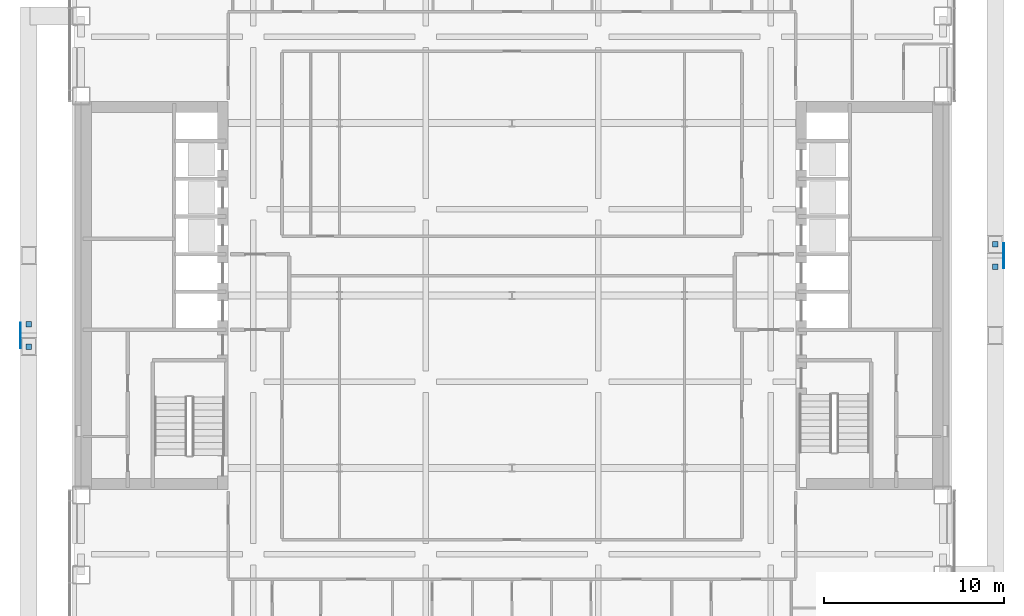
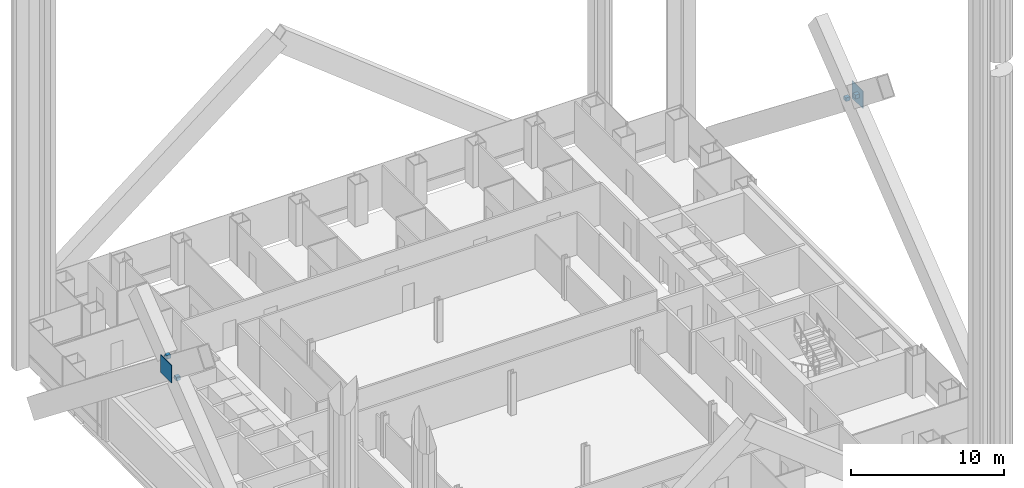
# One storey, part 22 of 28: 6 discrete accessories.
"""IFC4 building model written with IfcOpenShell, lengths in metres."""

import ifcopenshell
import ifcopenshell.guid

model = None  # the IFC model being written
_history = None  # IfcOwnerHistory: only IFC2X3 demands one
_inside = {}  # id of a spatial element -> (the spatial element, [elements in it])
_under = {}  # id of a project, library or spatial element -> (it, [spatial elements below it])
_declared = {}  # id of a project -> (the project, [libraries it declares])
_typed = {}  # id of a type object -> (the type object, [elements of that type])
_made_of = {}  # id of a material, layer set ... -> (it, [elements and type objects made of it])


def new_model(schema):
    """Start an empty IFC model of exactly this schema.

    Asked for "IFC4X3", IfcOpenShell would pick the latest addendum, in which some entities
    have other attributes; the version numbers below select the first issue.
    IFC2X3 requires an IfcOwnerHistory on every rooted entity: one is made here for all.
    """
    global model, _history
    if schema == "IFC4X3":
        model = ifcopenshell.file(schema_version=(4, 3, 0, 0))
    else:
        model = ifcopenshell.file(schema=schema)
    _inside.clear()
    _under.clear()
    _declared.clear()
    _typed.clear()
    _made_of.clear()
    _history = None
    if model.schema == "IFC2X3":
        org = make("IfcOrganization", Name="unknown")
        user = make(
            "IfcPersonAndOrganization",
            ThePerson=make("IfcPerson", FamilyName="unknown"),
            TheOrganization=org,
        )
        app = make(
            "IfcApplication",
            ApplicationDeveloper=org,
            Version="unknown",
            ApplicationFullName="unknown",
            ApplicationIdentifier="unknown",
        )
        _history = make(
            "IfcOwnerHistory",
            OwningUser=user,
            OwningApplication=app,
            ChangeAction="ADDED",
            CreationDate=0,
        )
    return model


def make(cls, **values):
    """One entity of the class cls with the attributes given. An attribute that is None is left unset."""
    return model.create_entity(
        cls, **{name: value for name, value in values.items() if value is not None}
    )


def rooted(cls, **values):
    """An entity with a GlobalId (a new one), such as an element, a storey or a relation."""
    return make(cls, GlobalId=ifcopenshell.guid.new(), OwnerHistory=_history, **values)


def si_unit(unit_type, name, prefix=None):
    """IfcSIUnit, for example si_unit("LENGTHUNIT", "METRE", prefix="MILLI")."""
    return make("IfcSIUnit", UnitType=unit_type, Prefix=prefix, Name=name)


def assignment(units):
    """IfcUnitAssignment: the units of a project."""
    return None if units is None else make("IfcUnitAssignment", Units=units)


def point(xyz):
    """IfcCartesianPoint."""
    return None if xyz is None else make("IfcCartesianPoint", Coordinates=xyz)


def direction(xyz):
    """IfcDirection."""
    return None if xyz is None else make("IfcDirection", DirectionRatios=xyz)


def frame(location, z_axis=None, x_axis=None):
    """IfcAxis2Placement3D, a coordinate frame: its origin and axes. An axis left out is left unset."""
    return make(
        "IfcAxis2Placement3D",
        Location=point(location),
        Axis=direction(z_axis),
        RefDirection=direction(x_axis),
    )


def frame_2d(location, x_axis=None):
    """IfcAxis2Placement2D, a coordinate frame in the plane: its origin and x axis."""
    return make(
        "IfcAxis2Placement2D", Location=point(location), RefDirection=direction(x_axis)
    )


def origin():
    """The frame at (0, 0, 0) with its axes left unset."""
    return frame((0.0, 0.0, 0.0))


def origin_2d():
    """The frame at (0, 0) in the plane with its x axis left unset."""
    return frame_2d((0.0, 0.0))


def place(relative_to, where):
    """IfcLocalPlacement: puts the frame where relative to a parent placement (None: the world)."""
    return make(
        "IfcLocalPlacement", PlacementRelTo=relative_to, RelativePlacement=where
    )


def context(
    kind, dimensions, precision=None, world=None, true_north=None, identifier=None
):
    """IfcGeometricRepresentationContext, for example the 3D "Model" context."""
    return make(
        "IfcGeometricRepresentationContext",
        ContextIdentifier=identifier,
        ContextType=kind,
        CoordinateSpaceDimension=dimensions,
        Precision=precision,
        WorldCoordinateSystem=world,
        TrueNorth=true_north,
    )


def subcontext(parent, identifier, kind, view, scale=None):
    """IfcGeometricRepresentationSubContext, for example "Body" below "Model"."""
    return make(
        "IfcGeometricRepresentationSubContext",
        ContextIdentifier=identifier,
        ContextType=kind,
        ParentContext=parent,
        TargetScale=scale,
        TargetView=view,
    )


def project(units=None, contexts=None):
    """IfcProject with its units and contexts."""
    return rooted(
        "IfcProject",
        Name="project",
        RepresentationContexts=contexts,
        UnitsInContext=assignment(units),
    )


def spatial(cls, under=None, at=None, **own):
    """A site, building, storey or space (cls), placed at a placement, below another one or the project."""
    s = rooted(cls, ObjectPlacement=at, **own)
    if under is not None:
        _under.setdefault(under.id(), (under, []))[1].append(s)
    return s


def profile(cls, at=None, kind="AREA", **sizes):
    """A parametric profile (cls). Its sizes go by their IFC names, for example OverallWidth=200.0."""
    return make(cls, ProfileType=kind, Position=at, **sizes)


def rectangle(**sizes):
    """IfcRectangleProfileDef."""
    return profile("IfcRectangleProfileDef", **sizes)


def extrude(swept, where, along, depth):
    """IfcExtrudedAreaSolid: the profile swept, set in the frame where, extruded along a direction by depth."""
    return make(
        "IfcExtrudedAreaSolid",
        SweptArea=swept,
        Position=where,
        ExtrudedDirection=direction(along),
        Depth=depth,
    )


def shape(context_of_items, identifier, shape_type, items):
    """IfcShapeRepresentation: the items that make up one representation, for example the "Body"."""
    return make(
        "IfcShapeRepresentation",
        ContextOfItems=context_of_items,
        RepresentationIdentifier=identifier,
        RepresentationType=shape_type,
        Items=items,
    )


def material(Name=None, Category=None):
    """IfcMaterial."""
    return make("IfcMaterial", Name=Name, Category=Category)


def made_of(thing, what):
    """Note that an element or type object is made of a material, layer set ...; save() writes the relation."""
    if what is not None:
        _made_of.setdefault(what.id(), (what, []))[1].append(thing)
    return thing


def type_object(cls, material=None, **own):
    """A type object (cls), such as IfcWallType, which elements share."""
    return made_of(rooted(cls, **own), material)


def element(
    cls,
    number,
    at=None,
    inside=None,
    cuts=None,
    type_object=None,
    material=None,
    context=None,
    identifier="Body",
    shape_type=None,
    held_by="IfcProductDefinitionShape",
    body=None,
    shapes=None,
    **own,
):
    """One element of the class cls, such as IfcWall. Its Tag is "e" and its number.

    at: its placement. inside: the storey or other place that contains it. cuts: it is an
    opening in that element (IfcRelVoidsElement). A single representation is given by context,
    identifier, shape_type and body (its items); several are given by shapes. held_by: the class
    of the entity that holds the representations. save() writes the other relations.
    """
    e = rooted(cls, Tag="e%d" % number, ObjectPlacement=at, **own)
    if body is not None:
        shapes = [shape(context, identifier, shape_type, body)]
    if shapes is not None:
        e.Representation = make(held_by, Representations=shapes)
    if inside is not None:
        _inside.setdefault(inside.id(), (inside, []))[1].append(e)
    if cuts is not None:
        rooted(
            "IfcRelVoidsElement", RelatingBuildingElement=cuts, RelatedOpeningElement=e
        )
    if type_object is not None:
        _typed.setdefault(type_object.id(), (type_object, []))[1].append(e)
    return made_of(e, material)


def aggregate(whole, parts):
    """IfcRelAggregates: a whole, such as a stair, and the parts it consists of."""
    return rooted("IfcRelAggregates", RelatingObject=whole, RelatedObjects=parts)


def save(model, path):
    """Write the relations noted so far, then the file.

    IfcRelAggregates (storeys below a building ...), IfcRelContainedInSpatialStructure (elements
    in a storey), IfcRelDefinesByType, IfcRelAssociatesMaterial and IfcRelDeclares: one each for
    every whole, place, type object, material and project.
    """
    for whole, parts in _under.values():
        aggregate(whole, parts)
    for where, things in _inside.values():
        rooted(
            "IfcRelContainedInSpatialStructure",
            RelatedElements=things,
            RelatingStructure=where,
        )
    for kind, things in _typed.values():
        rooted("IfcRelDefinesByType", RelatedObjects=things, RelatingType=kind)
    for what, things in _made_of.values():
        rooted("IfcRelAssociatesMaterial", RelatedObjects=things, RelatingMaterial=what)
    for by, libraries in _declared.values():
        rooted("IfcRelDeclares", RelatingContext=by, RelatedDefinitions=libraries)
    model.write(path)


model = new_model("IFC4")

# Units and contexts
model_context = context("Model", 3, precision=1e-05, world=origin(), true_north=direction((0.0, 1.0)))
body_context = subcontext(model_context, "Body", "Model", "MODEL_VIEW")
ifc_project = project(units=[si_unit("LENGTHUNIT", "METRE"), si_unit("AREAUNIT", "SQUARE_METRE"), si_unit("VOLUMEUNIT", "CUBIC_METRE"), si_unit("PLANEANGLEUNIT", "RADIAN"), si_unit("MASSUNIT", "GRAM", prefix="KILO")], contexts=[model_context])

# Site, building, storey
site_placement = place(None, origin())
site = spatial("IfcSite", under=ifc_project, at=site_placement, CompositionType="ELEMENT")
building_placement = place(site_placement, origin())
building = spatial("IfcBuilding", under=site, at=building_placement, Name="Cobrizo Arcos Hotel Tower", CompositionType="ELEMENT")
storey_placement = place(building_placement, frame((0.0, 0.0, 39.0)))
storey = spatial("IfcBuildingStorey", under=building, at=storey_placement, Name="L07", CompositionType="ELEMENT", Elevation=39.0)

# Discrete accessories
ifc_material = material(Name="Steel ASTM A572 Grade 50", Category="steel")
discrete_accessory_type_1 = type_object("IfcDiscreteAccessoryType", Name="GP-1 gusset plate 1400x1400x40", PredefinedType="BRACKET", material=ifc_material)
for number, where, z_axis, x_axis, name in (
    (1, (27.3701171875, 2.22216796875, 13.800048828125), (0.0, 0.0, 1.0), (1.0, 0.0, 0.0), "Gusset plate br-Z1-E-00"),
    (2, (-27.3701171875, -2.22216796875, 13.800048828125), (0.0, 0.0, 1.0), (1.0, 0.0, 0.0), "Gusset plate br-Z1-W-00"),
):
    element("IfcDiscreteAccessory", number, at=place(storey_placement, frame(where, z_axis=z_axis, x_axis=x_axis)), inside=storey, type_object=discrete_accessory_type_1, Name=name, PredefinedType="BRACKET", context=body_context, shape_type="SweptSolid", body=[
        extrude(rectangle(XDim=0.0400390625, YDim=1.39990234375, at=origin_2d()), origin(), (0.0, 0.0, 1.0), 1.39990234375),
    ])
discrete_accessory_type_2 = type_object("IfcDiscreteAccessoryType", Name="GP-5 brace end plate 300x300x300", PredefinedType="BRACKET", material=ifc_material)
for number, where, z_axis, x_axis, name in (
    (3, (26.89990234375, 2.84521484375, 13.859375), (0.0, 0.0, 1.0), (1.0, 0.0, 0.0), "Brace end plate"),
    (4, (26.89990234375, 1.599365234375, 14.84033203125), (0.0, 0.0, 1.0), (1.0, 0.0, 0.0), "Brace end plate"),
    (5, (-26.89990234375, -2.84521484375, 13.859375), (0.0, 0.0, 1.0), (1.0, 0.0, 0.0), "Brace end plate"),
    (6, (-26.89990234375, -1.599365234375, 14.84033203125), (0.0, 0.0, 1.0), (1.0, 0.0, 0.0), "Brace end plate"),
):
    element("IfcDiscreteAccessory", number, at=place(storey_placement, frame(where, z_axis=z_axis, x_axis=x_axis)), inside=storey, type_object=discrete_accessory_type_2, Name=name, PredefinedType="BRACKET", context=body_context, shape_type="SweptSolid", body=[
        extrude(rectangle(XDim=0.300048828125, YDim=0.300048828125, at=origin_2d()), origin(), (0.0, 0.0, 1.0), 0.300048828125),
    ])

save(model, "model.ifc")
